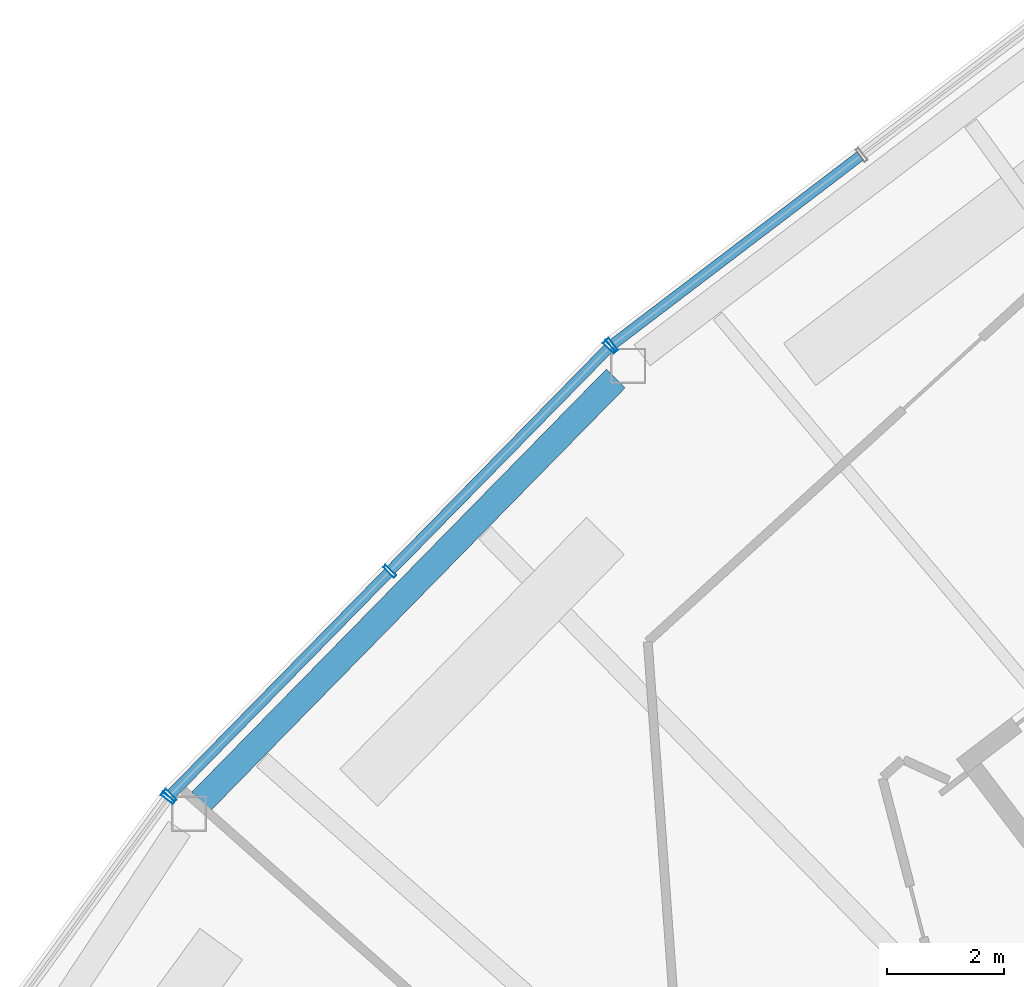
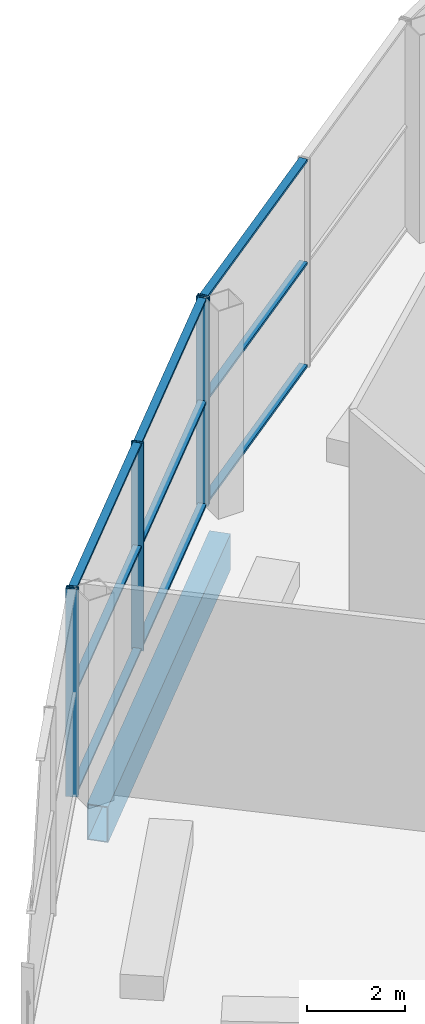
# One storey, part 8 of 44: 14 members, 1 beam, 3 elements without a shape of their own.
"""IFC4 building model written with IfcOpenShell, lengths in metres."""

from ifc_helpers import new_model, si_unit, direction, frame, origin, origin_2d, place, context, subcontext, project, spatial, hollow_rectangle, extrude, material, layer, layer_set, material_profile, profile_set, type_object, element, aggregate, save


model = new_model("IFC4")

# Units and contexts
model_context = context("Model", 3, precision=1e-05, world=origin(), true_north=direction((0.0, 1.0)))
body_context = subcontext(model_context, "Body", "Model", "MODEL_VIEW")
ifc_project = project(units=[si_unit("LENGTHUNIT", "METRE"), si_unit("AREAUNIT", "SQUARE_METRE"), si_unit("VOLUMEUNIT", "CUBIC_METRE"), si_unit("PLANEANGLEUNIT", "RADIAN"), si_unit("MASSUNIT", "GRAM", prefix="KILO")], contexts=[model_context])

# Site, building, storey
site_placement = place(None, origin())
site = spatial("IfcSite", under=ifc_project, at=site_placement, CompositionType="ELEMENT")
building_placement = place(site_placement, origin())
building = spatial("IfcBuilding", under=site, at=building_placement, Name="Tuul Gate Civic Tower", CompositionType="ELEMENT")
storey_placement = place(building_placement, frame((0.0, 0.0, 354.60009765625)))
storey = spatial("IfcBuildingStorey", under=building, at=storey_placement, Name="Observation level 2", CompositionType="ELEMENT", Elevation=354.60009765625)

# Curtain wall, member
ifc_material_1 = material(Name="Stainless steel", Category="steel")
ifc_layer = layer(ifc_material_1, 0.199951171875)
ifc_layer_set = layer_set([ifc_layer], Name="Stainless steel")
curtain_wall_type = type_object("IfcCurtainWallType", Name="Curtain wall CW4", PredefinedType="NOTDEFINED", material=ifc_layer_set)
curtain_wall_1_placement = place(storey_placement, origin())
curtain_wall_1 = element("IfcCurtainWall", 1, at=curtain_wall_1_placement, inside=storey, type_object=curtain_wall_type, Name="Curtain wall CW4", PredefinedType="NOTDEFINED")
ifc_material_2 = material(Name="Stainless steel", Category="steel")
ifc_material_profile_1 = material_profile(ifc_material_2, hollow_rectangle(XDim=0.260009765625, YDim=0.06005859375, WallThickness=0.006103515625, at=origin_2d()), Name="CW4 mullion")
ifc_profile_set_1 = profile_set([ifc_material_profile_1], Name="Stainless steel")
member_type_1 = type_object("IfcMemberType", Name="CW4 mullion", PredefinedType="MULLION", material=ifc_profile_set_1)
member_1_placement = place(storey_placement, frame((-46.980224609375, -4.306884765625, 0.0), z_axis=(0.0, 0.0, 1.0), x_axis=(0.605807600786, -0.795611180684, 0.0)))
member_1 = element("IfcMember", 2, at=member_1_placement, type_object=member_type_1, Name="Mullion", PredefinedType="MULLION", context=body_context, shape_type="SweptSolid", body=[
    extrude(hollow_rectangle(XDim=0.260009765625, YDim=0.06005859375, WallThickness=0.006103515625, at=origin_2d()), origin(), (0.0, 0.0, 1.0), 5.199951171875),
])

# Curtain wall, members
curtain_wall_2_placement = place(storey_placement, origin())
curtain_wall_2 = element("IfcCurtainWall", 3, at=curtain_wall_2_placement, inside=storey, type_object=curtain_wall_type, Name="Curtain wall CW4", PredefinedType="NOTDEFINED")
member_2_placement = place(storey_placement, frame((-47.02490234375, -4.346435546875, 0.0), z_axis=(0.0, 0.0, 1.0), x_axis=(0.714100212908, -0.700043488595, 0.0)))
member_2 = element("IfcMember", 4, at=member_2_placement, type_object=member_type_1, Name="Mullion", PredefinedType="MULLION", context=body_context, shape_type="SweptSolid", body=[
    extrude(hollow_rectangle(XDim=0.260009765625, YDim=0.06005859375, WallThickness=0.006103515625, at=origin_2d()), origin(), (0.0, 0.0, 1.0), 5.199951171875),
])
member_3_placement = place(storey_placement, frame((-50.763916015625, -8.160400390625, 0.0), z_axis=(0.0, 0.0, 1.0), x_axis=(0.714100212908, -0.700043488595, 0.0)))
member_3 = element("IfcMember", 5, at=member_3_placement, type_object=member_type_1, Name="Mullion", PredefinedType="MULLION", context=body_context, shape_type="SweptSolid", body=[
    extrude(hollow_rectangle(XDim=0.260009765625, YDim=0.06005859375, WallThickness=0.006103515625, at=origin_2d()), origin(), (0.0, 0.0, 1.0), 5.199951171875),
])
member_4_placement = place(storey_placement, frame((-54.5029296875, -11.974609375, 0.0), z_axis=(0.0, 0.0, 1.0), x_axis=(0.714100212908, -0.700043488595, 0.0)))
member_4 = element("IfcMember", 6, at=member_4_placement, type_object=member_type_1, Name="Mullion", PredefinedType="MULLION", context=body_context, shape_type="SweptSolid", body=[
    extrude(hollow_rectangle(XDim=0.260009765625, YDim=0.06005859375, WallThickness=0.006103515625, at=origin_2d()), origin(), (0.0, 0.0, 1.0), 5.199951171875),
])

# Curtain wall, member
curtain_wall_3_placement = place(storey_placement, origin())
curtain_wall_3 = element("IfcCurtainWall", 7, at=curtain_wall_3_placement, inside=storey, type_object=curtain_wall_type, Name="Curtain wall CW4", PredefinedType="NOTDEFINED")
member_5_placement = place(storey_placement, frame((-54.541748046875, -12.020263671875, 0.0), z_axis=(0.0, 0.0, 1.0), x_axis=(0.807578487079, -0.589760109881, 0.0)))
member_5 = element("IfcMember", 8, at=member_5_placement, type_object=member_type_1, Name="Mullion", PredefinedType="MULLION", context=body_context, shape_type="SweptSolid", body=[
    extrude(hollow_rectangle(XDim=0.260009765625, YDim=0.06005859375, WallThickness=0.006103515625, at=origin_2d()), origin(), (0.0, 0.0, 1.0), 5.199951171875),
])
aggregate(curtain_wall_3, [member_5])

# Member
ifc_material_3 = material(Name="Stainless steel", Category="steel")
ifc_material_profile_2 = material_profile(ifc_material_3, hollow_rectangle(XDim=0.179931640625, YDim=0.06005859375, WallThickness=0.006103515625, at=origin_2d()), Name="CW4 transom")
ifc_profile_set_2 = profile_set([ifc_material_profile_2], Name="Stainless steel")
member_type_2 = type_object("IfcMemberType", Name="CW4 transom", PredefinedType="USERDEFINED", material=ifc_profile_set_2)
member_6_placement = place(storey_placement, frame((-42.75439453125, -1.089111328125, 0.02978515625), z_axis=(-0.795613143647, -0.605805022805, 0.0), x_axis=(0.605805022805, -0.795613143647, 0.0)))
member_6 = element("IfcMember", 9, at=member_6_placement, type_object=member_type_2, Name="Transom", ObjectType="TRANSOM", PredefinedType="USERDEFINED", context=body_context, shape_type="SweptSolid", body=[
    extrude(hollow_rectangle(XDim=0.179931640625, YDim=0.06005859375, WallThickness=0.006103515625, at=origin_2d()), origin(), (0.0, 0.0, 1.0), 5.28125),
])

member_7_placement = place(storey_placement, frame((-42.75439453125, -1.089111328125, 2.599853515625), z_axis=(-0.795613143647, -0.605805022805, 0.0), x_axis=(0.605805022805, -0.795613143647, 0.0)))
member_7 = element("IfcMember", 10, at=member_7_placement, type_object=member_type_2, Name="Transom", ObjectType="TRANSOM", PredefinedType="USERDEFINED", context=body_context, shape_type="SweptSolid", body=[
    extrude(hollow_rectangle(XDim=0.179931640625, YDim=0.06005859375, WallThickness=0.006103515625, at=origin_2d()), origin(), (0.0, 0.0, 1.0), 5.28125),
])

member_8_placement = place(storey_placement, frame((-42.75439453125, -1.089111328125, 5.169921875), z_axis=(-0.795613143647, -0.605805022805, 0.0), x_axis=(0.605805022805, -0.795613143647, 0.0)))
member_8 = element("IfcMember", 11, at=member_8_placement, type_object=member_type_2, Name="Transom", ObjectType="TRANSOM", PredefinedType="USERDEFINED", context=body_context, shape_type="SweptSolid", body=[
    extrude(hollow_rectangle(XDim=0.179931640625, YDim=0.06005859375, WallThickness=0.006103515625, at=origin_2d()), origin(), (0.0, 0.0, 1.0), 5.28125),
])

aggregate(curtain_wall_1, [member_1, member_6, member_7, member_8])

member_9_placement = place(storey_placement, frame((-47.0458984375, -4.367919921875, 0.02978515625), z_axis=(-0.700045065111, -0.714098667422, 0.0), x_axis=(0.714098667422, -0.700045065111, 0.0)))
member_9 = element("IfcMember", 12, at=member_9_placement, type_object=member_type_2, Name="Transom", ObjectType="TRANSOM", PredefinedType="USERDEFINED", context=body_context, shape_type="SweptSolid", body=[
    extrude(hollow_rectangle(XDim=0.179931640625, YDim=0.06005859375, WallThickness=0.006103515625, at=origin_2d()), origin(), (0.0, 0.0, 1.0), 5.281005859375),
])

member_10_placement = place(storey_placement, frame((-47.0458984375, -4.367919921875, 2.599853515625), z_axis=(-0.700045065111, -0.714098667422, 0.0), x_axis=(0.714098667422, -0.700045065111, 0.0)))
member_10 = element("IfcMember", 13, at=member_10_placement, type_object=member_type_2, Name="Transom", ObjectType="TRANSOM", PredefinedType="USERDEFINED", context=body_context, shape_type="SweptSolid", body=[
    extrude(hollow_rectangle(XDim=0.179931640625, YDim=0.06005859375, WallThickness=0.006103515625, at=origin_2d()), origin(), (0.0, 0.0, 1.0), 5.281005859375),
])

member_11_placement = place(storey_placement, frame((-47.0458984375, -4.367919921875, 5.169921875), z_axis=(-0.700045065111, -0.714098667422, 0.0), x_axis=(0.714098667422, -0.700045065111, 0.0)))
member_11 = element("IfcMember", 14, at=member_11_placement, type_object=member_type_2, Name="Transom", ObjectType="TRANSOM", PredefinedType="USERDEFINED", context=body_context, shape_type="SweptSolid", body=[
    extrude(hollow_rectangle(XDim=0.179931640625, YDim=0.06005859375, WallThickness=0.006103515625, at=origin_2d()), origin(), (0.0, 0.0, 1.0), 5.281005859375),
])

member_12_placement = place(storey_placement, frame((-50.784912109375, -8.181884765625, 0.02978515625), z_axis=(-0.700045065111, -0.714098667422, 0.0), x_axis=(0.714098667422, -0.700045065111, 0.0)))
member_12 = element("IfcMember", 15, at=member_12_placement, type_object=member_type_2, Name="Transom", ObjectType="TRANSOM", PredefinedType="USERDEFINED", context=body_context, shape_type="SweptSolid", body=[
    extrude(hollow_rectangle(XDim=0.179931640625, YDim=0.06005859375, WallThickness=0.006103515625, at=origin_2d()), origin(), (0.0, 0.0, 1.0), 5.281005859375),
])

member_13_placement = place(storey_placement, frame((-50.784912109375, -8.181884765625, 2.599853515625), z_axis=(-0.700045065111, -0.714098667422, 0.0), x_axis=(0.714098667422, -0.700045065111, 0.0)))
member_13 = element("IfcMember", 16, at=member_13_placement, type_object=member_type_2, Name="Transom", ObjectType="TRANSOM", PredefinedType="USERDEFINED", context=body_context, shape_type="SweptSolid", body=[
    extrude(hollow_rectangle(XDim=0.179931640625, YDim=0.06005859375, WallThickness=0.006103515625, at=origin_2d()), origin(), (0.0, 0.0, 1.0), 5.281005859375),
])

member_14_placement = place(storey_placement, frame((-50.784912109375, -8.181884765625, 5.169921875), z_axis=(-0.700045065111, -0.714098667422, 0.0), x_axis=(0.714098667422, -0.700045065111, 0.0)))
member_14 = element("IfcMember", 17, at=member_14_placement, type_object=member_type_2, Name="Transom", ObjectType="TRANSOM", PredefinedType="USERDEFINED", context=body_context, shape_type="SweptSolid", body=[
    extrude(hollow_rectangle(XDim=0.179931640625, YDim=0.06005859375, WallThickness=0.006103515625, at=origin_2d()), origin(), (0.0, 0.0, 1.0), 5.281005859375),
])

aggregate(curtain_wall_2, [member_2, member_3, member_4, member_9, member_10, member_11, member_12, member_13, member_14])

# Beam
ifc_material_4 = material(Name="Steel S355", Category="steel")
ifc_material_profile_3 = material_profile(ifc_material_4, hollow_rectangle(XDim=0.449951171875, YDim=0.89990234375, WallThickness=0.02490234375, at=origin_2d()), Name="BOX900x450x25")
ifc_profile_set_3 = profile_set([ifc_material_profile_3], Name="Steel S355")
beam_type = type_object("IfcBeamType", Name="STR-SPANDREL BEAM-BOX900x450x25", PredefinedType="BEAM", material=ifc_profile_set_3)
beam_placement = place(storey_placement, frame((-46.916015625, -4.877197265625, -0.85009765625), z_axis=(-0.699997044148, -0.714145740157, 0.0), x_axis=(0.714145740157, -0.699997044148, 0.0)))
element("IfcBeam", 18, at=beam_placement, inside=storey, type_object=beam_type, Name="Spandrel beam", PredefinedType="BEAM", context=body_context, shape_type="SweptSolid", body=[
    extrude(hollow_rectangle(XDim=0.449951171875, YDim=0.89990234375, WallThickness=0.02490234375, at=origin_2d()), origin(), (0.0, 0.0, 1.0), 10.0771484375),
])

save(model, "model.ifc")
